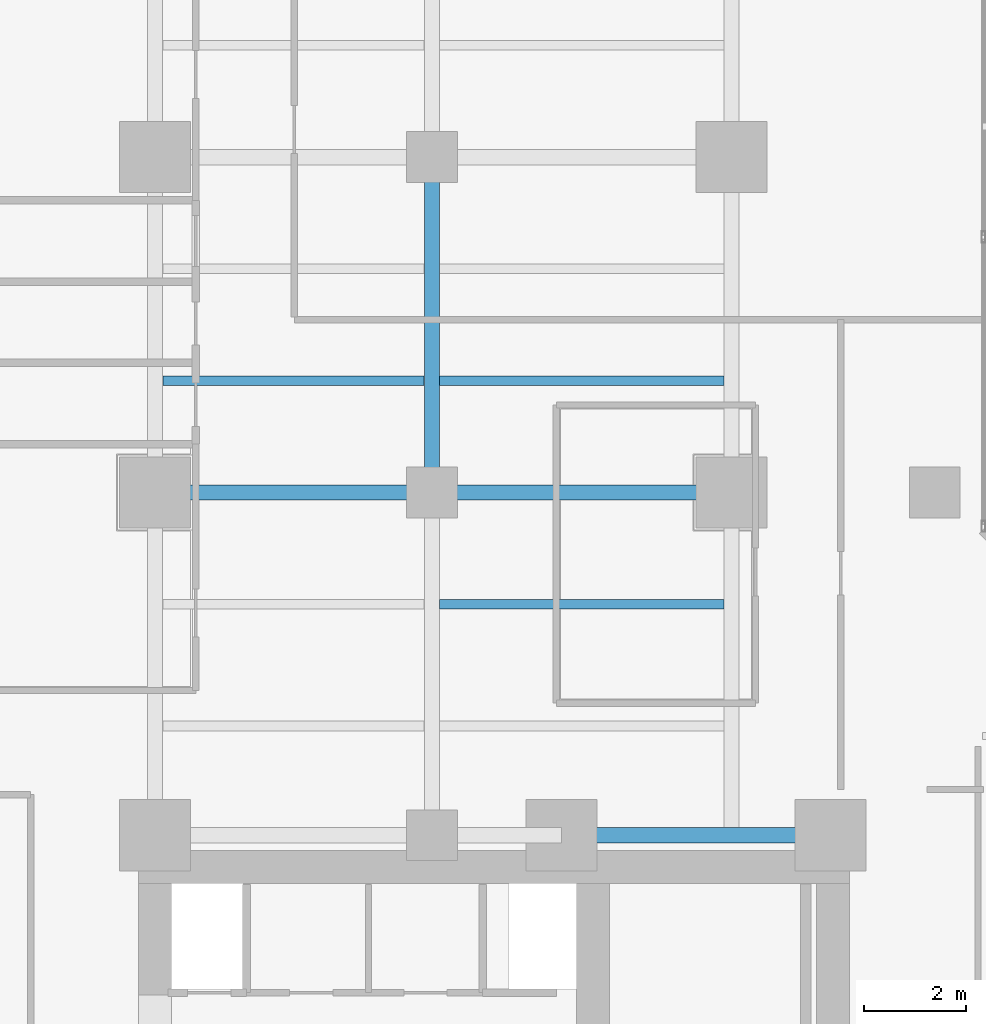
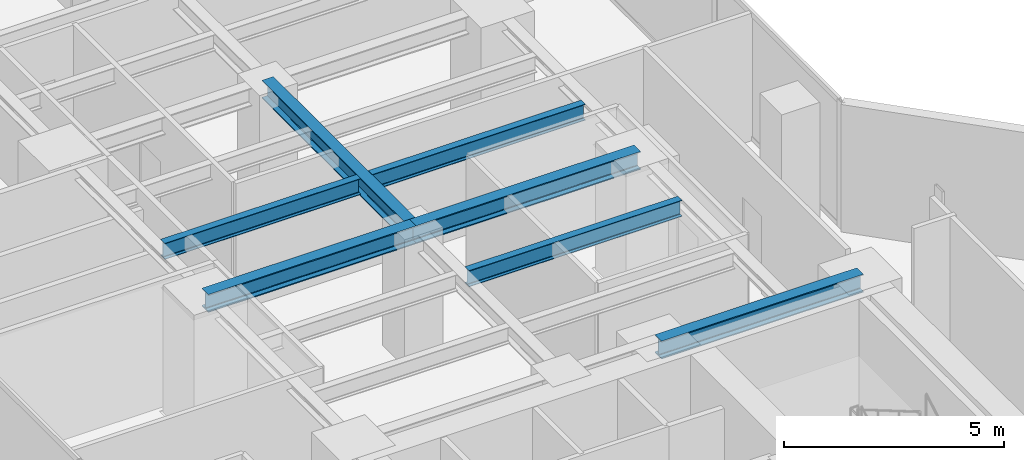
# One storey, part 8 of 28: 7 beams.
"""IFC4 building model written with IfcOpenShell, lengths in metres."""

from ifc_helpers import new_model, si_unit, direction, frame, origin, origin_2d, place, context, subcontext, project, spatial, i_section, extrude, material, material_profile, profile_set, type_object, element, save


model = new_model("IFC4")

# Units and contexts
model_context = context("Model", 3, precision=1e-05, world=origin(), true_north=direction((0.0, 1.0)))
body_context = subcontext(model_context, "Body", "Model", "MODEL_VIEW")
ifc_project = project(units=[si_unit("LENGTHUNIT", "METRE"), si_unit("AREAUNIT", "SQUARE_METRE"), si_unit("VOLUMEUNIT", "CUBIC_METRE"), si_unit("PLANEANGLEUNIT", "RADIAN"), si_unit("MASSUNIT", "GRAM", prefix="KILO")], contexts=[model_context])

# Site, building, storey
site_placement = place(None, origin())
site = spatial("IfcSite", under=ifc_project, at=site_placement, CompositionType="ELEMENT")
building_placement = place(site_placement, origin())
building = spatial("IfcBuilding", under=site, at=building_placement, Name="Kolvaren Waterfront Exchange", CompositionType="ELEMENT")
storey_placement = place(building_placement, frame((0.0, 0.0, 133.5)))
storey = spatial("IfcBuildingStorey", under=building, at=storey_placement, Name="L34", CompositionType="ELEMENT", Elevation=133.5)

# Beams
ifc_material = material(Name="Steel S355", Category="steel")
ifc_material_profile_1 = material_profile(ifc_material, i_section(OverallWidth=0.300048828125, OverallDepth=0.5, WebThickness=0.014404296875, FlangeThickness=0.028076171875, FilletRadius=0.027099609375, at=origin_2d()), Name="HEB500")
ifc_profile_set_1 = profile_set([ifc_material_profile_1], Name="Steel S355")
beam_type_1 = type_object("IfcBeamType", Name="STR-BM-HEB500", PredefinedType="BEAM", material=ifc_profile_set_1)
beam_1_placement = place(storey_placement, frame((15.449951171875, 24.449951171875, 3.2900390625), z_axis=(1.0, 0.0, 0.0), x_axis=(0.0, 1.0, 0.0)))
element("IfcBeam", 1, at=beam_1_placement, inside=storey, type_object=beam_type_1, Name="L34 north-arm girder 1C", PredefinedType="BEAM", context=body_context, shape_type="SweptSolid", body=[
    extrude(i_section(OverallWidth=0.300048828125, OverallDepth=0.5, WebThickness=0.014404296875, FlangeThickness=0.028076171875, FilletRadius=0.027099609375, at=origin_2d()), origin(), (0.0, 0.0, 1.0), 5.300048828125),
])
beam_2_placement = place(storey_placement, frame((7.449951171875, 31.199951171875, 3.2900390625), z_axis=(1.0, 0.0, 0.0), x_axis=(0.0, 1.0, 0.0)))
element("IfcBeam", 2, at=beam_2_placement, inside=storey, type_object=beam_type_1, Name="L34 north-arm girder 2A", PredefinedType="BEAM", context=body_context, shape_type="SweptSolid", body=[
    extrude(i_section(OverallWidth=0.300048828125, OverallDepth=0.5, WebThickness=0.014404296875, FlangeThickness=0.028076171875, FilletRadius=0.027099609375, at=origin_2d()), origin(), (0.0, 0.0, 1.0), 5.449951171875),
])
beam_3_placement = place(storey_placement, frame((12.89990234375, 31.199951171875, 3.2900390625), z_axis=(1.0, 0.0, 0.0), x_axis=(0.0, 1.0, 0.0)))
element("IfcBeam", 3, at=beam_3_placement, inside=storey, type_object=beam_type_1, Name="L34 north-arm girder 2B", PredefinedType="BEAM", context=body_context, shape_type="SweptSolid", body=[
    extrude(i_section(OverallWidth=0.300048828125, OverallDepth=0.5, WebThickness=0.014404296875, FlangeThickness=0.028076171875, FilletRadius=0.027099609375, at=origin_2d()), origin(), (0.0, 0.0, 1.0), 5.900146484375),
])
beam_4_placement = place(storey_placement, frame((12.89990234375, 31.199951171875, 3.2900390625), z_axis=(0.0, 1.0, 0.0), x_axis=(-1.0, 0.0, 0.0)))
element("IfcBeam", 4, at=beam_4_placement, inside=storey, type_object=beam_type_1, Name="L34 north-arm edge beam 2", PredefinedType="BEAM", context=body_context, shape_type="SweptSolid", body=[
    extrude(i_section(OverallWidth=0.300048828125, OverallDepth=0.5, WebThickness=0.014404296875, FlangeThickness=0.028076171875, FilletRadius=0.027099609375, at=origin_2d()), origin(), (0.0, 0.0, 1.0), 6.60009765625),
])
ifc_material_profile_2 = material_profile(ifc_material, i_section(OverallWidth=0.18994140625, OverallDepth=0.449951171875, WebThickness=0.009521484375, FlangeThickness=0.0146484375, FilletRadius=0.02099609375, at=origin_2d()), Name="IPE450")
ifc_profile_set_2 = profile_set([ifc_material_profile_2], Name="Steel S355")
beam_type_2 = type_object("IfcBeamType", Name="STR-BM-IPE450", PredefinedType="JOIST", material=ifc_profile_set_2)
beam_5_placement = place(storey_placement, frame((13.052001953125, 29.0, 3.31494140625), z_axis=(1.0, 0.0, 0.0), x_axis=(0.0, 1.0, 0.0)))
element("IfcBeam", 5, at=beam_5_placement, inside=storey, type_object=beam_type_2, Name="L34 north-arm composite joist 2B", PredefinedType="JOIST", context=body_context, shape_type="SweptSolid", body=[
    extrude(i_section(OverallWidth=0.18994140625, OverallDepth=0.449951171875, WebThickness=0.009521484375, FlangeThickness=0.0146484375, FilletRadius=0.02099609375, at=origin_2d()), origin(), (0.0, 0.0, 1.0), 5.595947265625),
])
beam_6_placement = place(storey_placement, frame((7.60205078125, 33.39990234375, 3.31494140625), z_axis=(1.0, 0.0, 0.0), x_axis=(0.0, 1.0, 0.0)))
element("IfcBeam", 6, at=beam_6_placement, inside=storey, type_object=beam_type_2, Name="L34 north-arm composite joist 3A", PredefinedType="JOIST", context=body_context, shape_type="SweptSolid", body=[
    extrude(i_section(OverallWidth=0.18994140625, OverallDepth=0.449951171875, WebThickness=0.009521484375, FlangeThickness=0.0146484375, FilletRadius=0.02099609375, at=origin_2d()), origin(), (0.0, 0.0, 1.0), 5.14599609375),
])
beam_7_placement = place(storey_placement, frame((13.052001953125, 33.39990234375, 3.31494140625), z_axis=(1.0, 0.0, 0.0), x_axis=(0.0, 1.0, 0.0)))
element("IfcBeam", 7, at=beam_7_placement, inside=storey, type_object=beam_type_2, Name="L34 north-arm composite joist 3B", PredefinedType="JOIST", context=body_context, shape_type="SweptSolid", body=[
    extrude(i_section(OverallWidth=0.18994140625, OverallDepth=0.449951171875, WebThickness=0.009521484375, FlangeThickness=0.0146484375, FilletRadius=0.02099609375, at=origin_2d()), origin(), (0.0, 0.0, 1.0), 5.595947265625),
])

save(model, "model.ifc")
